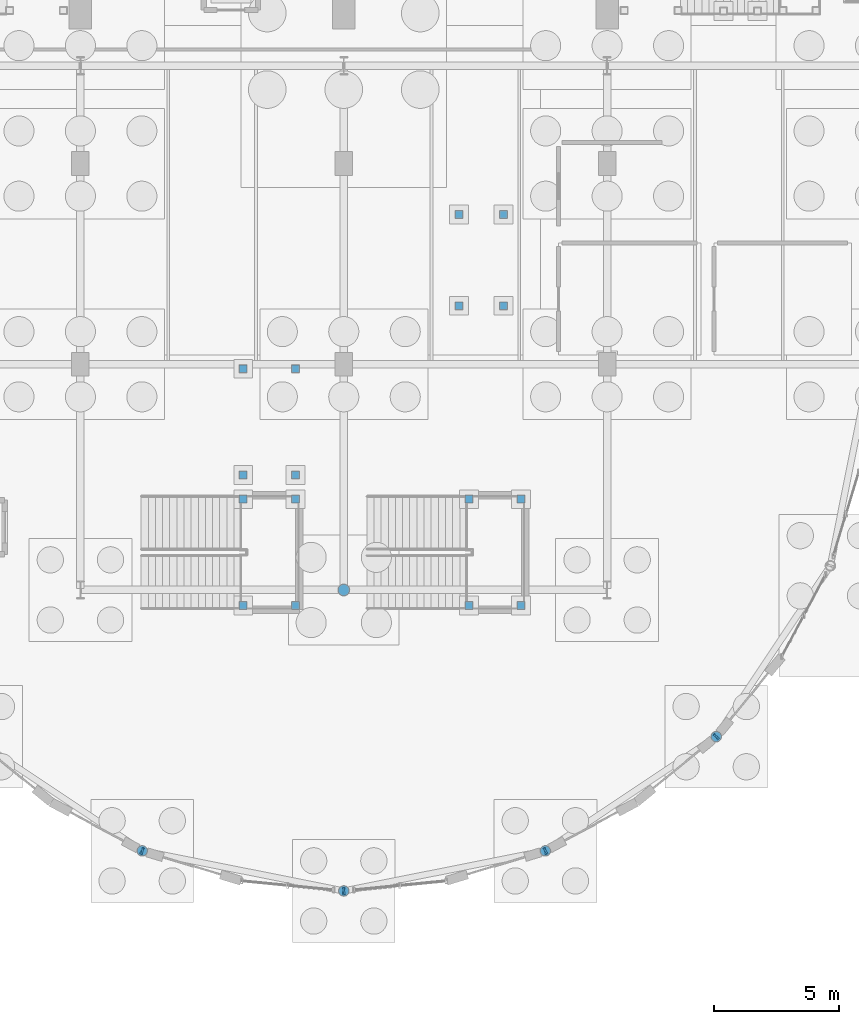
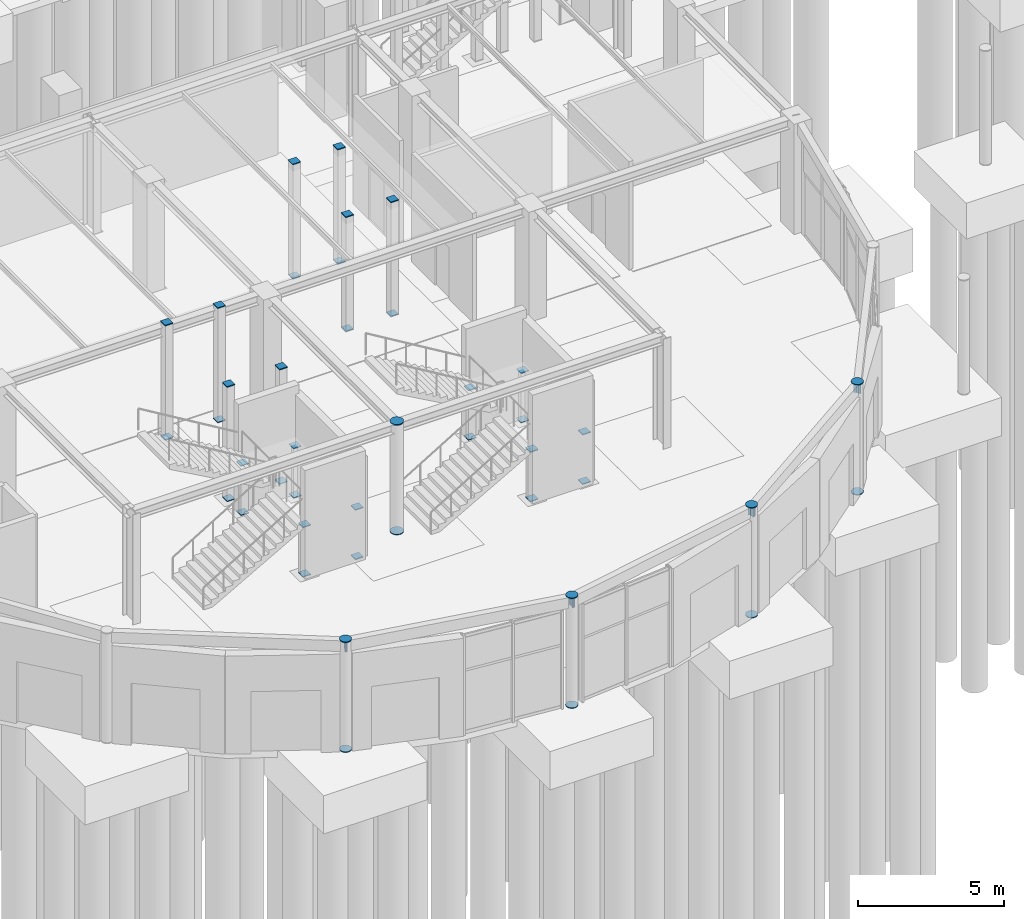
# One storey, part 122 of 160: 50 discrete accessories.
"""IFC4 building model written with IfcOpenShell, lengths in metres."""

from ifc_helpers import new_model, si_unit, direction, frame, origin, origin_2d, place, context, subcontext, project, spatial, rectangle, circle, extrude, material, element, save


model = new_model("IFC4")

# Units and contexts
model_context = context("Model", 3, precision=1e-05, world=origin(), true_north=direction((0.0, 1.0)))
body_context = subcontext(model_context, "Body", "Model", "MODEL_VIEW")
ifc_project = project(units=[si_unit("LENGTHUNIT", "METRE"), si_unit("AREAUNIT", "SQUARE_METRE"), si_unit("VOLUMEUNIT", "CUBIC_METRE"), si_unit("PLANEANGLEUNIT", "RADIAN"), si_unit("MASSUNIT", "GRAM", prefix="KILO")], contexts=[model_context])

# Site, building, storey
site_placement = place(None, origin())
site = spatial("IfcSite", under=ifc_project, at=site_placement, CompositionType="ELEMENT")
building_placement = place(site_placement, origin())
building = spatial("IfcBuilding", under=site, at=building_placement, Name="Marlcrest Central Station", CompositionType="ELEMENT")
storey_placement = place(building_placement, origin())
storey = spatial("IfcBuildingStorey", under=building, at=storey_placement, Name="L00", CompositionType="ELEMENT", Elevation=0.0)

# Discrete accessories
ifc_material = material(Name="Steel S355", Category="steel")
for number, where, z_axis, x_axis, name in (
    (1, (99.964111328125, 3.09912109375, -0.014892578125), (0.0, 0.0, 1.0), (1.0, 0.0, 0.0), "endcap-col-SC-10-L00-0795-s"),
    (2, (99.964111328125, 3.09912109375, 4.585205078125), (0.0, 0.0, 1.0), (1.0, 0.0, 0.0), "endcap-col-SC-10-L00-0795-e"),
    (3, (108.0, 1.5, -0.014892578125), (0.0, 0.0, 1.0), (1.0, 0.0, 0.0), "endcap-col-SC-10-L00-0799-s"),
    (4, (108.0, 1.5, 4.585205078125), (0.0, 0.0, 1.0), (1.0, 0.0, 0.0), "endcap-col-SC-10-L00-0799-e"),
    (5, (116.035888671875, 3.09912109375, -0.014892578125), (0.0, 0.0, 1.0), (1.0, 0.0, 0.0), "endcap-col-SC-10-L00-0803-s"),
    (6, (116.035888671875, 3.09912109375, 4.585205078125), (0.0, 0.0, 1.0), (1.0, 0.0, 0.0), "endcap-col-SC-10-L00-0803-e"),
    (7, (122.84912109375, 7.65087890625, -0.014892578125), (0.0, 0.0, 1.0), (1.0, 0.0, 0.0), "endcap-col-SC-10-L00-0807-s"),
    (8, (122.84912109375, 7.65087890625, 4.585205078125), (0.0, 0.0, 1.0), (1.0, 0.0, 0.0), "endcap-col-SC-10-L00-0807-e"),
):
    element("IfcDiscreteAccessory", number, at=place(storey_placement, frame(where, z_axis=z_axis, x_axis=x_axis)), inside=storey, material=ifc_material, Name=name, ObjectType="END_CAP_PLATE", PredefinedType="BRACKET", context=body_context, shape_type="SweptSolid", body=[
        extrude(circle(Radius=0.211181640625, at=origin_2d()), origin(), (0.0, 0.0, 1.0), 0.0400390625),
    ])
for number, where, z_axis, x_axis, name in (
    (9, (108.0, 13.5, -0.014892578125), (0.0, 0.0, 1.0), (1.0, 0.0, 0.0), "endcap-col-SC-11-L00-0819-s"),
    (10, (108.0, 13.5, 4.580078125), (0.0, 0.0, 1.0), (1.0, 0.0, 0.0), "endcap-col-SC-11-L00-0819-e"),
):
    element("IfcDiscreteAccessory", number, at=place(storey_placement, frame(where, z_axis=z_axis, x_axis=x_axis)), inside=storey, material=ifc_material, Name=name, ObjectType="END_CAP_PLATE", PredefinedType="BRACKET", context=body_context, shape_type="SweptSolid", body=[
        extrude(circle(Radius=0.236572265625, at=origin_2d()), origin(), (0.0, 0.0, 1.0), 0.0400390625),
    ])
for number, where, z_axis, x_axis, name in (
    (11, (99.943359375, 3.113037109375, 4.3798828125), (0.831508991937, -0.55551129271, 0.0), (0.55551129271, 0.831508991937, 0.0), "endcap-bm-SP-02-L00-01325-e"),
    (12, (99.949462890625, 3.10205078125, 4.3798828125), (0.980769316421, -0.19517056122, 0.0), (0.19517056122, 0.980769316421, 0.0), "endcap-bm-SP-02-L00-01326-s"),
    (13, (107.9755859375, 1.5048828125, 4.3798828125), (0.980769316421, -0.19517056122, 0.0), (0.19517056122, 0.980769316421, 0.0), "endcap-bm-SP-02-L00-01326-e"),
    (14, (107.9853515625, 1.4970703125, 4.3798828125), (0.980769316421, 0.19517056122, 0.0), (-0.19517056122, 0.980769316421, 0.0), "endcap-bm-SP-02-L00-01327-s"),
    (15, (116.011474609375, 3.09423828125, 4.3798828125), (0.980769316421, 0.19517056122, 0.0), (-0.19517056122, 0.980769316421, 0.0), "endcap-bm-SP-02-L00-01327-e"),
    (16, (116.0234375, 3.0908203125, 4.3798828125), (0.831508991937, 0.55551129271, 0.0), (-0.55551129271, 0.831508991937, 0.0), "endcap-bm-SP-02-L00-01328-s"),
    (17, (122.828369140625, 7.636962890625, 4.3798828125), (0.831508991937, 0.55551129271, 0.0), (-0.55551129271, 0.831508991937, 0.0), "endcap-bm-SP-02-L00-01328-e"),
    (18, (122.8408203125, 7.638427734375, 4.3798828125), (0.55551129271, 0.831508991937, 0.0), (-0.831508991937, 0.55551129271, 0.0), "endcap-bm-SP-02-L00-01329-s"),
):
    element("IfcDiscreteAccessory", number, at=place(storey_placement, frame(where, z_axis=z_axis, x_axis=x_axis)), inside=storey, material=ifc_material, Name=name, ObjectType="END_CAP_PLATE", PredefinedType="BRACKET", context=body_context, shape_type="SweptSolid", body=[
        extrude(rectangle(XDim=0.26611328125, YDim=0.466064453125, at=origin_2d()), origin(), (0.0, 0.0, 1.0), 0.0400390625),
    ])
for number, where, z_axis, x_axis, name in (
    (19, (103.989990234375, 12.8798828125, -0.014892578125), (0.0, 0.0, 1.0), (1.0, 0.0, 0.0), "endcap-htcol-lo-0031-0-s"),
    (20, (103.989990234375, 12.8798828125, 2.05517578125), (0.0, 0.0, 1.0), (1.0, 0.0, 0.0), "endcap-htcol-lo-0031-0-e"),
    (21, (106.070068359375, 12.8798828125, -0.014892578125), (0.0, 0.0, 1.0), (1.0, 0.0, 0.0), "endcap-htcol-lo-0031-1-s"),
    (22, (106.070068359375, 12.8798828125, 2.05517578125), (0.0, 0.0, 1.0), (1.0, 0.0, 0.0), "endcap-htcol-lo-0031-1-e"),
    (23, (106.070068359375, 17.1201171875, -0.014892578125), (0.0, 0.0, 1.0), (1.0, 0.0, 0.0), "endcap-htcol-lo-0031-2-s"),
    (24, (106.070068359375, 17.1201171875, 2.05517578125), (0.0, 0.0, 1.0), (1.0, 0.0, 0.0), "endcap-htcol-lo-0031-2-e"),
    (25, (103.989990234375, 17.1201171875, -0.014892578125), (0.0, 0.0, 1.0), (1.0, 0.0, 0.0), "endcap-htcol-lo-0031-3-s"),
    (26, (103.989990234375, 17.1201171875, 2.05517578125), (0.0, 0.0, 1.0), (1.0, 0.0, 0.0), "endcap-htcol-lo-0031-3-e"),
    (27, (112.989990234375, 12.8798828125, -0.014892578125), (0.0, 0.0, 1.0), (1.0, 0.0, 0.0), "endcap-htcol-lo-0032-0-s"),
    (28, (112.989990234375, 12.8798828125, 2.05517578125), (0.0, 0.0, 1.0), (1.0, 0.0, 0.0), "endcap-htcol-lo-0032-0-e"),
    (29, (115.070068359375, 12.8798828125, -0.014892578125), (0.0, 0.0, 1.0), (1.0, 0.0, 0.0), "endcap-htcol-lo-0032-1-s"),
    (30, (115.070068359375, 12.8798828125, 2.05517578125), (0.0, 0.0, 1.0), (1.0, 0.0, 0.0), "endcap-htcol-lo-0032-1-e"),
    (31, (115.070068359375, 17.1201171875, -0.014892578125), (0.0, 0.0, 1.0), (1.0, 0.0, 0.0), "endcap-htcol-lo-0032-2-s"),
    (32, (115.070068359375, 17.1201171875, 2.05517578125), (0.0, 0.0, 1.0), (1.0, 0.0, 0.0), "endcap-htcol-lo-0032-2-e"),
    (33, (112.989990234375, 17.1201171875, -0.014892578125), (0.0, 0.0, 1.0), (1.0, 0.0, 0.0), "endcap-htcol-lo-0032-3-s"),
    (34, (112.989990234375, 17.1201171875, 2.05517578125), (0.0, 0.0, 1.0), (1.0, 0.0, 0.0), "endcap-htcol-lo-0032-3-e"),
    (35, (103.989990234375, 18.080078125, -0.014892578125), (0.0, 0.0, 1.0), (1.0, 0.0, 0.0), "endcap-htcol-s11-0033-0-s"),
    (36, (103.989990234375, 18.080078125, 4.775146484375), (0.0, 0.0, 1.0), (1.0, 0.0, 0.0), "endcap-htcol-s11-0033-0-e"),
    (37, (106.070068359375, 18.080078125, -0.014892578125), (0.0, 0.0, 1.0), (1.0, 0.0, 0.0), "endcap-htcol-s11-0033-1-s"),
    (38, (106.070068359375, 18.080078125, 4.775146484375), (0.0, 0.0, 1.0), (1.0, 0.0, 0.0), "endcap-htcol-s11-0033-1-e"),
    (39, (106.070068359375, 22.320068359375, -0.014892578125), (0.0, 0.0, 1.0), (1.0, 0.0, 0.0), "endcap-htcol-s11-0033-2-s"),
    (40, (106.070068359375, 22.320068359375, 4.775146484375), (0.0, 0.0, 1.0), (1.0, 0.0, 0.0), "endcap-htcol-s11-0033-2-e"),
    (41, (103.989990234375, 22.320068359375, -0.014892578125), (0.0, 0.0, 1.0), (1.0, 0.0, 0.0), "endcap-htcol-s11-0033-3-s"),
    (42, (103.989990234375, 22.320068359375, 4.775146484375), (0.0, 0.0, 1.0), (1.0, 0.0, 0.0), "endcap-htcol-s11-0033-3-e"),
    (43, (112.590087890625, 24.830078125, -0.014892578125), (0.0, 0.0, 1.0), (1.0, 0.0, 0.0), "endcap-htcol-L00-0035-0-s"),
    (44, (112.590087890625, 24.830078125, 4.775146484375), (0.0, 0.0, 1.0), (1.0, 0.0, 0.0), "endcap-htcol-L00-0035-0-e"),
    (45, (114.3701171875, 24.830078125, -0.014892578125), (0.0, 0.0, 1.0), (1.0, 0.0, 0.0), "endcap-htcol-L00-0035-1-s"),
    (46, (114.3701171875, 24.830078125, 4.775146484375), (0.0, 0.0, 1.0), (1.0, 0.0, 0.0), "endcap-htcol-L00-0035-1-e"),
    (47, (114.3701171875, 28.469970703125, -0.014892578125), (0.0, 0.0, 1.0), (1.0, 0.0, 0.0), "endcap-htcol-L00-0035-2-s"),
    (48, (114.3701171875, 28.469970703125, 4.775146484375), (0.0, 0.0, 1.0), (1.0, 0.0, 0.0), "endcap-htcol-L00-0035-2-e"),
    (49, (112.590087890625, 28.469970703125, -0.014892578125), (0.0, 0.0, 1.0), (1.0, 0.0, 0.0), "endcap-htcol-L00-0035-3-s"),
    (50, (112.590087890625, 28.469970703125, 4.775146484375), (0.0, 0.0, 1.0), (1.0, 0.0, 0.0), "endcap-htcol-L00-0035-3-e"),
):
    element("IfcDiscreteAccessory", number, at=place(storey_placement, frame(where, z_axis=z_axis, x_axis=x_axis)), inside=storey, material=ifc_material, Name=name, ObjectType="END_CAP_PLATE", PredefinedType="BRACKET", context=body_context, shape_type="SweptSolid", body=[
        extrude(rectangle(XDim=0.31591796875, YDim=0.31591796875, at=origin_2d()), origin(), (0.0, 0.0, 1.0), 0.0400390625),
    ])

save(model, "model.ifc")
